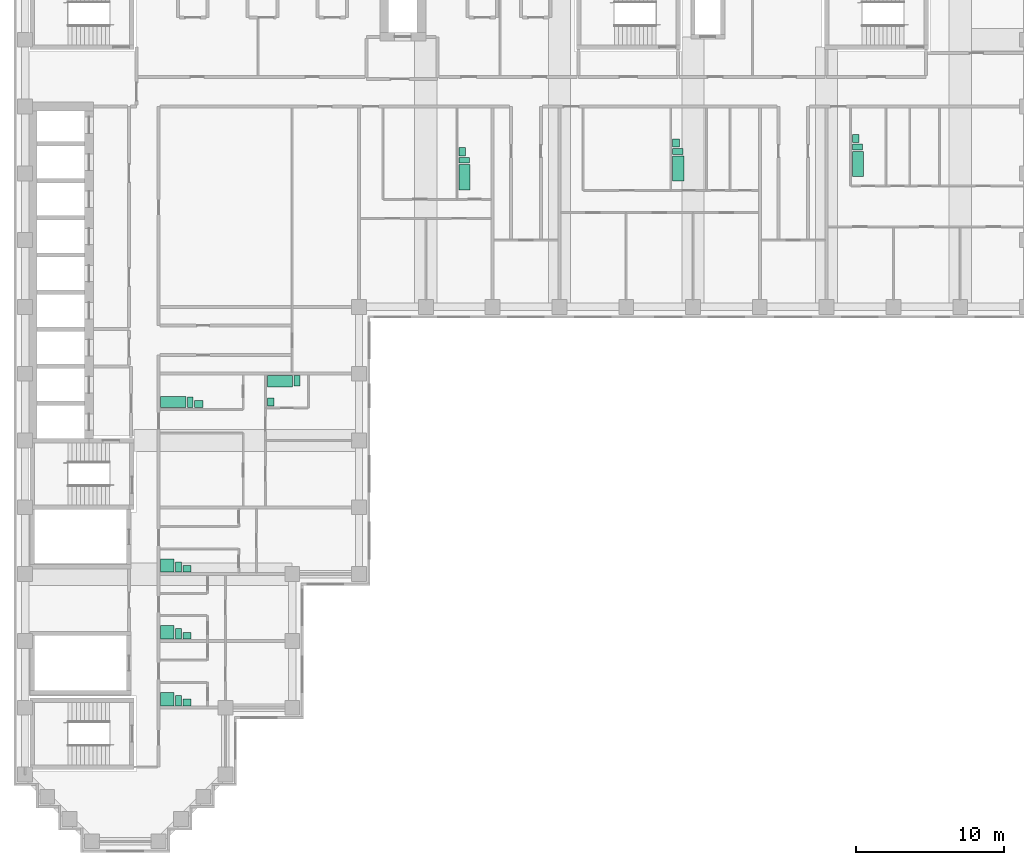
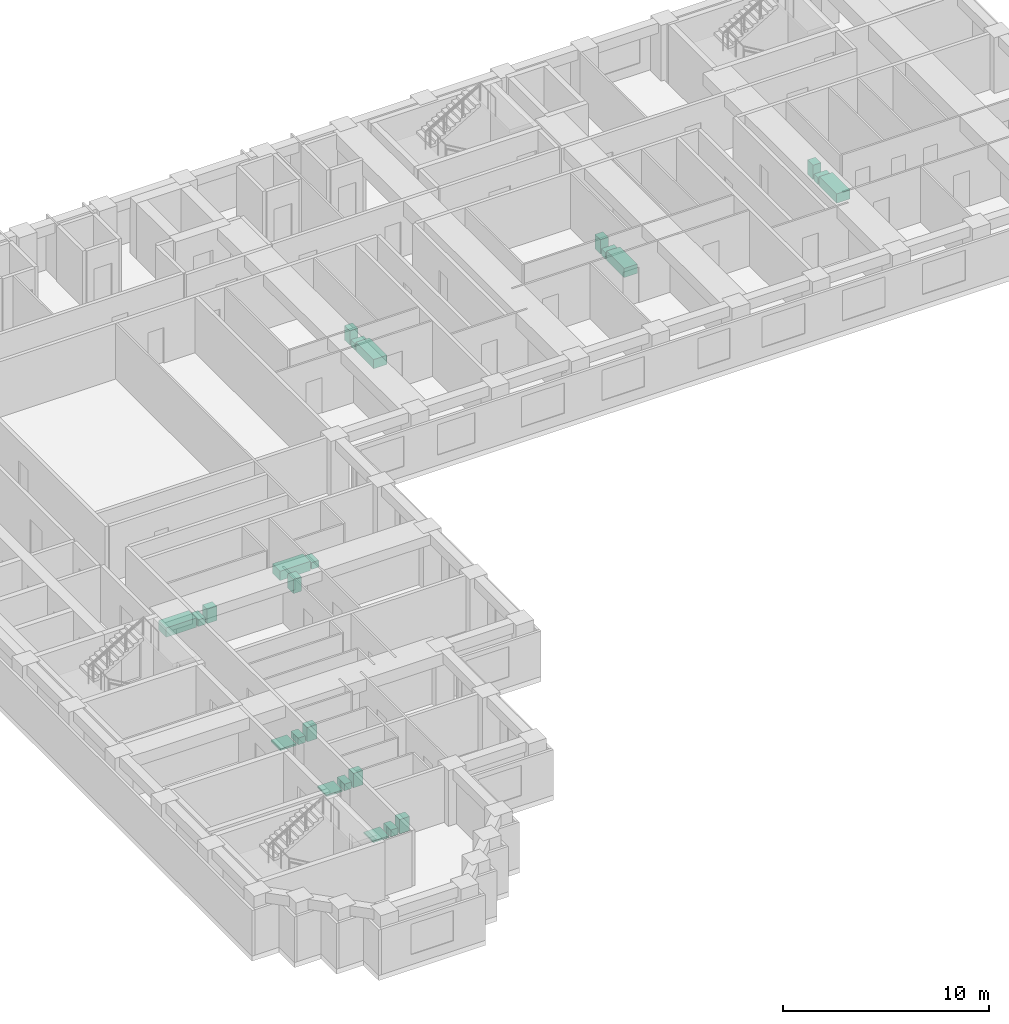
# One storey, part 12 of 12: 24 sanitary terminals.
"""IFC4 building model written with IfcOpenShell, lengths in metres."""

from ifc_helpers import new_model, si_unit, direction, frame, origin, origin_2d, place, context, subcontext, project, spatial, rectangle, extrude, material, type_object, element, save


model = new_model("IFC4")

# Units and contexts
model_context = context("Model", 3, precision=1e-05, world=origin(), true_north=direction((0.0, 1.0)))
body_context = subcontext(model_context, "Body", "Model", "MODEL_VIEW")
ifc_project = project(units=[si_unit("LENGTHUNIT", "METRE"), si_unit("AREAUNIT", "SQUARE_METRE"), si_unit("VOLUMEUNIT", "CUBIC_METRE"), si_unit("PLANEANGLEUNIT", "RADIAN"), si_unit("MASSUNIT", "GRAM", prefix="KILO")], contexts=[model_context])

# Site, building, storey
site_placement = place(None, origin())
site = spatial("IfcSite", under=ifc_project, at=site_placement, CompositionType="ELEMENT")
building_placement = place(site_placement, origin())
building = spatial("IfcBuilding", under=site, at=building_placement, Name="Firuza Court", CompositionType="ELEMENT")
storey_placement = place(building_placement, frame((0.0, 0.0, 152.0)))
storey = spatial("IfcBuildingStorey", under=building, at=storey_placement, Name="L38", CompositionType="ELEMENT", Elevation=152.0)

# Sanitary terminals
ifc_material_1 = material(Name="Vitreous china", Category="ceramic")
sanitary_terminal_type_1 = type_object("IfcSanitaryTerminalType", Name="Fixture Bath", PredefinedType="BATH", material=ifc_material_1)
for number, where, z_axis, x_axis, name in (
    (1, (29.60498046875, 44.72998046875, 0.0), (0.0, 0.0, 1.0), (1.0, 0.0, 0.0), "Bath"),
    (2, (44.0048828125, 45.330078125, 0.0), (0.0, 0.0, 1.0), (1.0, 0.0, 0.0), "Bath"),
    (3, (56.10498046875, 45.6298828125, 0.0), (0.0, 0.0, 1.0), (1.0, 0.0, 0.0), "Bath"),
):
    element("IfcSanitaryTerminal", number, at=place(storey_placement, frame(where, z_axis=z_axis, x_axis=x_axis)), inside=storey, type_object=sanitary_terminal_type_1, Name=name, PredefinedType="BATH", context=body_context, shape_type="SweptSolid", body=[
        extrude(rectangle(XDim=0.75, YDim=1.699951171875, at=origin_2d()), origin(), (0.0, 0.0, 1.0), 0.550048828125),
    ])
for number, where, z_axis, x_axis, name in (
    (4, (9.97998046875, 29.60498046875, 0.0), (0.0, 0.0, 1.0), (1.0, 0.0, 0.0), "Bath"),
    (5, (17.179931640625, 30.9951171875, 0.0), (0.0, 0.0, 1.0), (1.0, 0.0, 0.0), "Bath"),
):
    element("IfcSanitaryTerminal", number, at=place(storey_placement, frame(where, z_axis=z_axis, x_axis=x_axis)), inside=storey, type_object=sanitary_terminal_type_1, Name=name, PredefinedType="BATH", context=body_context, shape_type="SweptSolid", body=[
        extrude(rectangle(XDim=1.699951171875, YDim=0.75, at=origin_2d()), origin(), (0.0, 0.0, 1.0), 0.550048828125),
    ])
ifc_material_2 = material(Name="Vitreous china", Category="ceramic")
sanitary_terminal_type_2 = type_object("IfcSanitaryTerminalType", Name="Fixture Shower tray", PredefinedType="SHOWER", material=ifc_material_2)
for number, where, z_axis, x_axis, name in (
    (6, (9.580078125, 18.580078125, 0.0), (0.0, 0.0, 1.0), (1.0, 0.0, 0.0), "Shower tray"),
    (7, (9.580078125, 14.080078125, 0.0), (0.0, 0.0, 1.0), (1.0, 0.0, 0.0), "Shower tray"),
    (8, (9.580078125, 9.580078125, 0.0), (0.0, 0.0, 1.0), (1.0, 0.0, 0.0), "Shower tray"),
):
    element("IfcSanitaryTerminal", number, at=place(storey_placement, frame(where, z_axis=z_axis, x_axis=x_axis)), inside=storey, type_object=sanitary_terminal_type_2, Name=name, PredefinedType="SHOWER", context=body_context, shape_type="SweptSolid", body=[
        extrude(rectangle(XDim=0.89990234375, YDim=0.89990234375, at=origin_2d()), origin(), (0.0, 0.0, 1.0), 0.10009765625),
    ])
ifc_material_3 = material(Name="Vitreous china", Category="ceramic")
sanitary_terminal_type_3 = type_object("IfcSanitaryTerminalType", Name="Fixture WC pan", PredefinedType="TOILETPAN", material=ifc_material_3)
for number, where, z_axis, x_axis, name in (
    (9, (29.580078125, 45.8798828125, 0.0), (0.0, 0.0, 1.0), (1.0, 0.0, 0.0), "WC pan"),
    (10, (43.97998046875, 46.47998046875, 0.0), (0.0, 0.0, 1.0), (1.0, 0.0, 0.0), "WC pan"),
    (11, (56.080078125, 46.780029296875, 0.0), (0.0, 0.0, 1.0), (1.0, 0.0, 0.0), "WC pan"),
):
    element("IfcSanitaryTerminal", number, at=place(storey_placement, frame(where, z_axis=z_axis, x_axis=x_axis)), inside=storey, type_object=sanitary_terminal_type_3, Name=name, PredefinedType="TOILETPAN", context=body_context, shape_type="SweptSolid", body=[
        extrude(rectangle(XDim=0.699951171875, YDim=0.39990234375, at=origin_2d()), origin(), (0.0, 0.0, 1.0), 0.39990234375),
    ])
for number, where, z_axis, x_axis, name in (
    (12, (11.1298828125, 29.580078125, 0.0), (0.0, 0.0, 1.0), (1.0, 0.0, 0.0), "WC pan"),
    (13, (18.330078125, 31.02001953125, 0.0), (0.0, 0.0, 1.0), (1.0, 0.0, 0.0), "WC pan"),
    (14, (10.330078125, 18.47998046875, 0.0), (0.0, 0.0, 1.0), (1.0, 0.0, 0.0), "WC pan"),
    (15, (10.330078125, 13.97998046875, 0.0), (0.0, 0.0, 1.0), (1.0, 0.0, 0.0), "WC pan"),
    (16, (10.330078125, 9.47998046875, 0.0), (0.0, 0.0, 1.0), (1.0, 0.0, 0.0), "WC pan"),
):
    element("IfcSanitaryTerminal", number, at=place(storey_placement, frame(where, z_axis=z_axis, x_axis=x_axis)), inside=storey, type_object=sanitary_terminal_type_3, Name=name, PredefinedType="TOILETPAN", context=body_context, shape_type="SweptSolid", body=[
        extrude(rectangle(XDim=0.39990234375, YDim=0.699951171875, at=origin_2d()), origin(), (0.0, 0.0, 1.0), 0.39990234375),
    ])
ifc_material_4 = material(Name="Vitreous china", Category="ceramic")
sanitary_terminal_type_4 = type_object("IfcSanitaryTerminalType", Name="Fixture Washbasin", PredefinedType="WASHHANDBASIN", material=ifc_material_4)
for number, where, z_axis, x_axis, name in (
    (17, (29.455078125, 46.455078125, 0.0), (0.0, 0.0, 1.0), (1.0, 0.0, 0.0), "Washbasin"),
    (18, (43.85498046875, 47.054931640625, 0.0), (0.0, 0.0, 1.0), (1.0, 0.0, 0.0), "Washbasin"),
    (19, (55.955078125, 47.35498046875, 0.0), (0.0, 0.0, 1.0), (1.0, 0.0, 0.0), "Washbasin"),
):
    element("IfcSanitaryTerminal", number, at=place(storey_placement, frame(where, z_axis=z_axis, x_axis=x_axis)), inside=storey, type_object=sanitary_terminal_type_4, Name=name, PredefinedType="WASHHANDBASIN", context=body_context, shape_type="SweptSolid", body=[
        extrude(rectangle(XDim=0.449951171875, YDim=0.550048828125, at=origin_2d()), origin(), (0.0, 0.0, 1.0), 0.85009765625),
    ])
sanitary_terminal_1_placement = place(storey_placement, frame((11.705078125, 29.455078125, 0.0), z_axis=(0.0, 0.0, 1.0), x_axis=(1.0, 0.0, 0.0)))
element("IfcSanitaryTerminal", 20, at=sanitary_terminal_1_placement, inside=storey, type_object=sanitary_terminal_type_4, Name="Washbasin", PredefinedType="WASHHANDBASIN", context=body_context, shape_type="SweptSolid", body=[
    extrude(rectangle(XDim=0.550048828125, YDim=0.449951171875, at=origin_2d()), origin(), (0.0, 0.0, 1.0), 0.85009765625),
])
sanitary_terminal_2_placement = place(storey_placement, frame((16.554931640625, 29.60498046875, 0.0), z_axis=(0.0, 0.0, 1.0), x_axis=(1.0, 0.0, 0.0)))
element("IfcSanitaryTerminal", 21, at=sanitary_terminal_2_placement, inside=storey, type_object=sanitary_terminal_type_4, Name="Washbasin", PredefinedType="WASHHANDBASIN", context=body_context, shape_type="SweptSolid", body=[
    extrude(rectangle(XDim=0.449951171875, YDim=0.550048828125, at=origin_2d()), origin(), (0.0, 0.0, 1.0), 0.85009765625),
])
for number, where, z_axis, x_axis, name in (
    (22, (10.905029296875, 18.35498046875, 0.0), (0.0, 0.0, 1.0), (1.0, 0.0, 0.0), "Washbasin"),
    (23, (10.905029296875, 13.85498046875, 0.0), (0.0, 0.0, 1.0), (1.0, 0.0, 0.0), "Washbasin"),
    (24, (10.905029296875, 9.35498046875, 0.0), (0.0, 0.0, 1.0), (1.0, 0.0, 0.0), "Washbasin"),
):
    element("IfcSanitaryTerminal", number, at=place(storey_placement, frame(where, z_axis=z_axis, x_axis=x_axis)), inside=storey, type_object=sanitary_terminal_type_4, Name=name, PredefinedType="WASHHANDBASIN", context=body_context, shape_type="SweptSolid", body=[
        extrude(rectangle(XDim=0.550048828125, YDim=0.449951171875, at=origin_2d()), origin(), (0.0, 0.0, 1.0), 0.85009765625),
    ])

save(model, "model.ifc")
